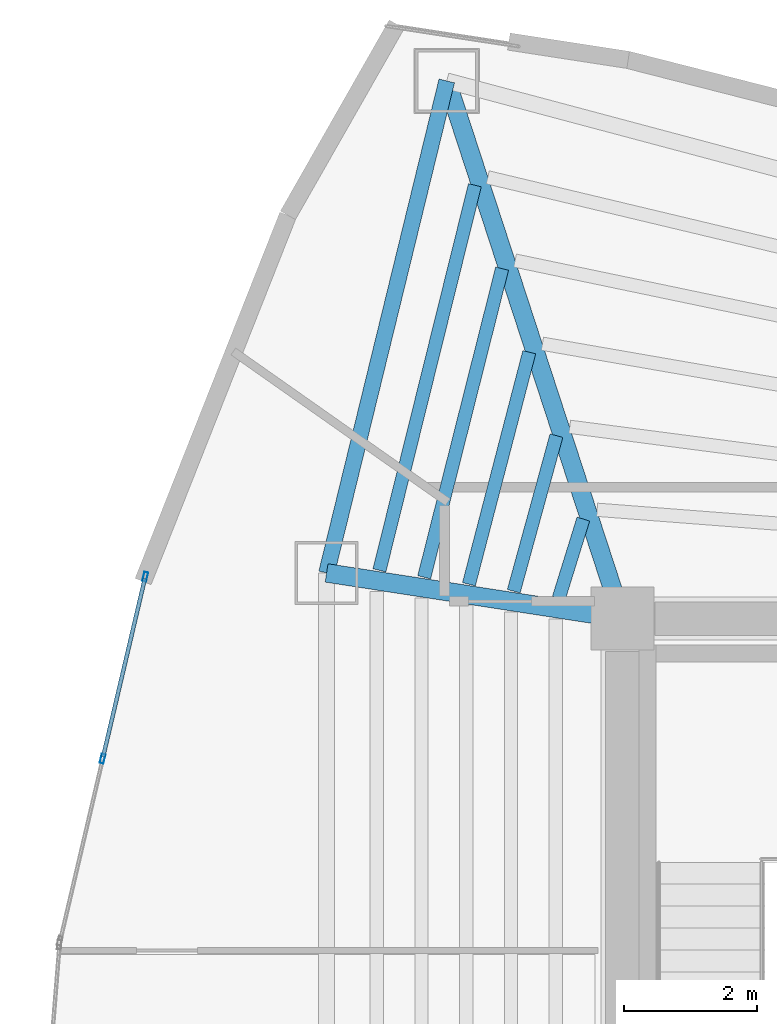
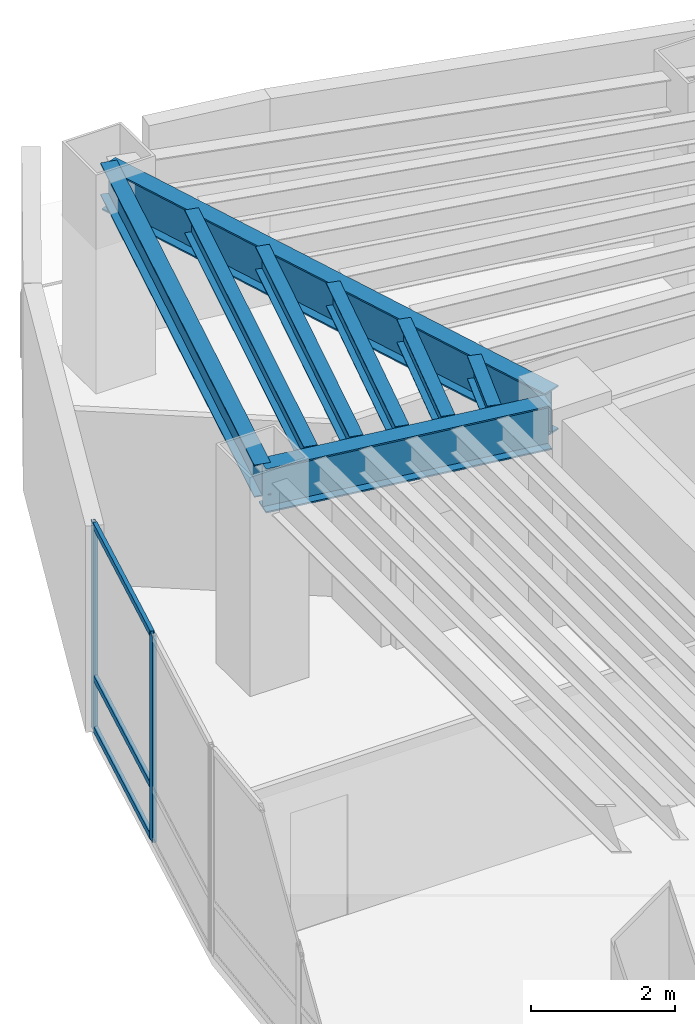
# One storey, part 6 of 15: 8 beams, 5 members, 1 element without a shape of its own.
"""IFC4 building model written with IfcOpenShell, lengths in metres."""

from ifc_helpers import new_model, si_unit, direction, frame, origin, origin_2d, place, context, subcontext, project, spatial, hollow_rectangle, i_section, extrude, material, layer, layer_set, material_profile, profile_set, type_object, element, aggregate, save


model = new_model("IFC4")

# Units and contexts
model_context = context("Model", 3, precision=1e-05, world=origin(), true_north=direction((0.0, 1.0)))
body_context = subcontext(model_context, "Body", "Model", "MODEL_VIEW")
ifc_project = project(units=[si_unit("LENGTHUNIT", "METRE"), si_unit("AREAUNIT", "SQUARE_METRE"), si_unit("VOLUMEUNIT", "CUBIC_METRE"), si_unit("PLANEANGLEUNIT", "RADIAN"), si_unit("MASSUNIT", "GRAM", prefix="KILO")], contexts=[model_context])

# Site, building, storey
site_placement = place(None, origin())
site = spatial("IfcSite", under=ifc_project, at=site_placement, CompositionType="ELEMENT")
building_placement = place(site_placement, origin())
building = spatial("IfcBuilding", under=site, at=building_placement, Name="Menara Vayukalpa", CompositionType="ELEMENT")
storey_placement = place(building_placement, frame((0.0, 0.0, 176.639892578125)))
storey = spatial("IfcBuildingStorey", under=building, at=storey_placement, Name="L44", CompositionType="ELEMENT", Elevation=176.639892578125)

# Beams
ifc_material_1 = material(Name="Steel S355", Category="steel")
ifc_material_profile_1 = material_profile(ifc_material_1, i_section(OverallWidth=0.280029296875, OverallDepth=0.75, WebThickness=0.013916015625, FlangeThickness=0.02490234375, at=origin_2d()), Name="WF 750x280x14x25")
ifc_profile_set_1 = profile_set([ifc_material_profile_1], Name="Steel S355")
beam_type_1 = type_object("IfcBeamType", Name="BM-PG4", PredefinedType="BEAM", material=ifc_profile_set_1)
beam_1_placement = place(storey_placement, frame((17.722412109375, 27.03759765625, 3.125), z_axis=(-0.310343552153, 0.950624468251, 0.0), x_axis=(-0.950624468251, -0.310343552153, 0.0)))
element("IfcBeam", 1, at=beam_1_placement, inside=storey, type_object=beam_type_1, Name="L44 Primary Radial Girder RG04", PredefinedType="BEAM", context=body_context, shape_type="SweptSolid", body=[
    extrude(i_section(OverallWidth=0.280029296875, OverallDepth=0.75, WebThickness=0.013916015625, FlangeThickness=0.02490234375, at=origin_2d()), origin(), (0.0, 0.0, 1.0), 8.2734375),
])
beam_2_placement = place(storey_placement, frame((17.552978515625, 26.838134765625, 3.125), z_axis=(-0.988244781219, 0.152879862617, 0.0), x_axis=(-0.152879862617, -0.988244781219, 0.0)))
element("IfcBeam", 2, at=beam_2_placement, inside=storey, type_object=beam_type_1, Name="L44 Primary Radial Girder RG05", PredefinedType="BEAM", context=body_context, shape_type="SweptSolid", body=[
    extrude(i_section(OverallWidth=0.280029296875, OverallDepth=0.75, WebThickness=0.013916015625, FlangeThickness=0.02490234375, at=origin_2d()), origin(), (0.0, 0.0, 1.0), 4.259033203125),
])
ifc_material_2 = material(Name="Steel S355", Category="steel")
ifc_material_profile_2 = material_profile(ifc_material_2, i_section(OverallWidth=0.199951171875, OverallDepth=0.39990234375, WebThickness=0.008056640625, FlangeThickness=0.012939453125, at=origin_2d()), Name="WF 400x200x8x13")
ifc_profile_set_2 = profile_set([ifc_material_profile_2], Name="Steel S355")
beam_type_2 = type_object("IfcBeamType", Name="BM-SJ2", PredefinedType="JOIST", material=ifc_profile_set_2)
beam_3_placement = place(storey_placement, frame((17.212890625, 28.300537109375, 3.300048828125), z_axis=(-0.296448419226, -0.955048865105, 0.0), x_axis=(0.955048865105, -0.296448419226, 0.0)))
element("IfcBeam", 3, at=beam_3_placement, inside=storey, type_object=beam_type_2, Name="L44 Secondary Floor Joist SJ04-1", PredefinedType="JOIST", context=body_context, shape_type="SweptSolid", body=[
    extrude(i_section(OverallWidth=0.199951171875, OverallDepth=0.39990234375, WebThickness=0.008056640625, FlangeThickness=0.012939453125, at=origin_2d()), origin(), (0.0, 0.0, 1.0), 1.24853515625),
])
beam_4_placement = place(storey_placement, frame((16.80712890625, 29.5576171875, 3.300048828125), z_axis=(-0.264502665082, -0.964384954344, 0.0), x_axis=(0.964384954344, -0.264502665082, 0.0)))
element("IfcBeam", 4, at=beam_4_placement, inside=storey, type_object=beam_type_2, Name="L44 Secondary Floor Joist SJ04-2", PredefinedType="JOIST", context=body_context, shape_type="SweptSolid", body=[
    extrude(i_section(OverallWidth=0.199951171875, OverallDepth=0.39990234375, WebThickness=0.008056640625, FlangeThickness=0.012939453125, at=origin_2d()), origin(), (0.0, 0.0, 1.0), 2.430419921875),
])
beam_5_placement = place(storey_placement, frame((16.398193359375, 30.815185546875, 3.300048828125), z_axis=(-0.251714869346, -0.967801438597, 0.0), x_axis=(0.967801438597, -0.251714869346, 0.0)))
element("IfcBeam", 5, at=beam_5_placement, inside=storey, type_object=beam_type_2, Name="L44 Secondary Floor Joist SJ04-3", PredefinedType="JOIST", context=body_context, shape_type="SweptSolid", body=[
    extrude(i_section(OverallWidth=0.199951171875, OverallDepth=0.39990234375, WebThickness=0.008056640625, FlangeThickness=0.012939453125, at=origin_2d()), origin(), (0.0, 0.0, 1.0), 3.61279296875),
])
beam_6_placement = place(storey_placement, frame((15.988525390625, 32.073486328125, 3.300048828125), z_axis=(-0.24483447751, -0.969564891393, 0.0), x_axis=(0.969564891393, -0.24483447751, 0.0)))
element("IfcBeam", 6, at=beam_6_placement, inside=storey, type_object=beam_type_2, Name="L44 Secondary Floor Joist SJ04-4", PredefinedType="JOIST", context=body_context, shape_type="SweptSolid", body=[
    extrude(i_section(OverallWidth=0.199951171875, OverallDepth=0.39990234375, WebThickness=0.008056640625, FlangeThickness=0.012939453125, at=origin_2d()), origin(), (0.0, 0.0, 1.0), 4.79638671875),
])
beam_7_placement = place(storey_placement, frame((15.57861328125, 33.33154296875, 3.300048828125), z_axis=(-0.240556182956, -0.970635216156, 0.0), x_axis=(0.970635216156, -0.240556182956, 0.0)))
element("IfcBeam", 7, at=beam_7_placement, inside=storey, type_object=beam_type_2, Name="L44 Secondary Floor Joist SJ04-5", PredefinedType="JOIST", context=body_context, shape_type="SweptSolid", body=[
    extrude(i_section(OverallWidth=0.199951171875, OverallDepth=0.39990234375, WebThickness=0.008056640625, FlangeThickness=0.012939453125, at=origin_2d()), origin(), (0.0, 0.0, 1.0), 5.979736328125),
])
ifc_material_3 = material(Name="Steel S355", Category="steel")
ifc_material_profile_3 = material_profile(ifc_material_3, i_section(OverallWidth=0.239990234375, OverallDepth=0.550048828125, WebThickness=0.010986328125, FlangeThickness=0.01904296875, at=origin_2d()), Name="WF 550x240x11x19")
ifc_profile_set_3 = profile_set([ifc_material_profile_3], Name="Steel S355")
beam_type_3 = type_object("IfcBeamType", Name="BM-SP2", PredefinedType="SPANDREL", material=ifc_profile_set_3)
beam_8_placement = place(storey_placement, frame((15.15478515625, 34.902587890625, 3.22509765625), z_axis=(-0.237285374413, -0.971439988414, 0.0), x_axis=(0.971439988414, -0.237285374413, 0.0)))
element("IfcBeam", 8, at=beam_8_placement, inside=storey, type_object=beam_type_3, Name="L44 Perimeter Spandrel Beam SP04", PredefinedType="SPANDREL", context=body_context, shape_type="SweptSolid", body=[
    extrude(i_section(OverallWidth=0.239990234375, OverallDepth=0.550048828125, WebThickness=0.010986328125, FlangeThickness=0.01904296875, at=origin_2d()), origin(), (0.0, 0.0, 1.0), 7.63134765625),
])

# Curtain wall, members
ifc_material_4 = material(Name="Anodised Terracotta Aluminium Alloy 6063-T6", Category="masonry")
ifc_layer = layer(ifc_material_4, 0.139892578125)
ifc_layer_set = layer_set([ifc_layer], Name="Anodised Terracotta Aluminium Alloy 6063-T6")
curtain_wall_type = type_object("IfcCurtainWallType", Name="CW-CW5", PredefinedType="USERDEFINED", material=ifc_layer_set)
curtain_wall_placement = place(storey_placement, origin())
curtain_wall = element("IfcCurtainWall", 9, at=curtain_wall_placement, inside=storey, type_object=curtain_wall_type, Name="L44 High Rise Tapered Curtain Wall CW5 10", ObjectType="UNITISED", PredefinedType="USERDEFINED")
ifc_material_5 = material(Name="Anodised Terracotta Aluminium Alloy 6063-T6", Category="masonry")
ifc_material_profile_4 = material_profile(ifc_material_5, hollow_rectangle(XDim=0.06005859375, YDim=0.139892578125, WallThickness=0.00341796875, at=origin_2d()), Name="ALU 60x140x3.5")
ifc_profile_set_4 = profile_set([ifc_material_profile_4], Name="Anodised Terracotta Aluminium Alloy 6063-T6")
member_type_1 = type_object("IfcMemberType", Name="CWM-CW5", PredefinedType="MULLION", material=ifc_profile_set_4)
member_1_placement = place(storey_placement, frame((10.612548828125, 27.433349609375, 0.0), z_axis=(0.0, 0.0, 1.0), x_axis=(0.973626241643, -0.228148946052, 0.0)))
member_1 = element("IfcMember", 10, at=member_1_placement, type_object=member_type_1, Name="CW5 mullion 1", PredefinedType="MULLION", context=body_context, shape_type="SweptSolid", body=[
    extrude(hollow_rectangle(XDim=0.06005859375, YDim=0.139892578125, WallThickness=0.00341796875, at=origin_2d()), origin(), (0.0, 0.0, 1.0), 3.5),
])
member_2_placement = place(storey_placement, frame((9.969482421875, 24.689208984375, 0.0), z_axis=(0.0, 0.0, 1.0), x_axis=(0.973626241643, -0.228148946052, 0.0)))
member_2 = element("IfcMember", 11, at=member_2_placement, type_object=member_type_1, Name="CW5 mullion 2", PredefinedType="MULLION", context=body_context, shape_type="SweptSolid", body=[
    extrude(hollow_rectangle(XDim=0.06005859375, YDim=0.139892578125, WallThickness=0.00341796875, at=origin_2d()), origin(), (0.0, 0.0, 1.0), 3.5),
])
ifc_material_6 = material(Name="Anodised Terracotta Aluminium Alloy 6063-T6", Category="masonry")
ifc_material_profile_5 = material_profile(ifc_material_6, hollow_rectangle(XDim=0.06005859375, YDim=0.10498046875, WallThickness=0.0029296875, at=origin_2d()), Name="ALU 60x105x3")
ifc_profile_set_5 = profile_set([ifc_material_profile_5], Name="Anodised Terracotta Aluminium Alloy 6063-T6")
member_type_2 = type_object("IfcMemberType", Name="CWT-CW5", PredefinedType="USERDEFINED", material=ifc_profile_set_5)
member_3_placement = place(storey_placement, frame((10.605712890625, 27.404296875, 0.030029296875), z_axis=(-0.228141514306, -0.973627983087, 0.0), x_axis=(0.973627983087, -0.228141514306, 0.0)))
member_3 = element("IfcMember", 12, at=member_3_placement, type_object=member_type_2, Name="CW5 transom 1.1", ObjectType="TRANSOM", PredefinedType="USERDEFINED", context=body_context, shape_type="SweptSolid", body=[
    extrude(hollow_rectangle(XDim=0.06005859375, YDim=0.10498046875, WallThickness=0.0029296875, at=origin_2d()), origin(), (0.0, 0.0, 1.0), 2.7587890625),
])
member_4_placement = place(storey_placement, frame((10.605712890625, 27.404296875, 0.900146484375), z_axis=(-0.228141514306, -0.973627983087, 0.0), x_axis=(0.973627983087, -0.228141514306, 0.0)))
member_4 = element("IfcMember", 13, at=member_4_placement, type_object=member_type_2, Name="CW5 transom 1.2", ObjectType="TRANSOM", PredefinedType="USERDEFINED", context=body_context, shape_type="SweptSolid", body=[
    extrude(hollow_rectangle(XDim=0.06005859375, YDim=0.10498046875, WallThickness=0.0029296875, at=origin_2d()), origin(), (0.0, 0.0, 1.0), 2.7587890625),
])
member_5_placement = place(storey_placement, frame((10.605712890625, 27.404296875, 3.47021484375), z_axis=(-0.228141514306, -0.973627983087, 0.0), x_axis=(0.973627983087, -0.228141514306, 0.0)))
member_5 = element("IfcMember", 14, at=member_5_placement, type_object=member_type_2, Name="CW5 transom 1.3", ObjectType="TRANSOM", PredefinedType="USERDEFINED", context=body_context, shape_type="SweptSolid", body=[
    extrude(hollow_rectangle(XDim=0.06005859375, YDim=0.10498046875, WallThickness=0.0029296875, at=origin_2d()), origin(), (0.0, 0.0, 1.0), 2.7587890625),
])
aggregate(curtain_wall, [member_1, member_2, member_3, member_4, member_5])

save(model, "model.ifc")
